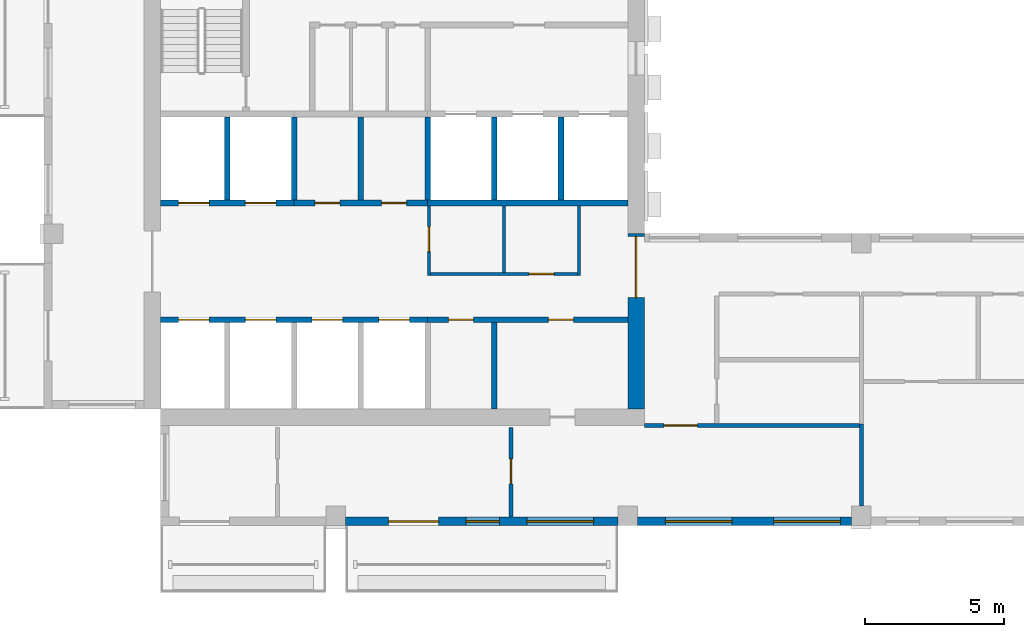
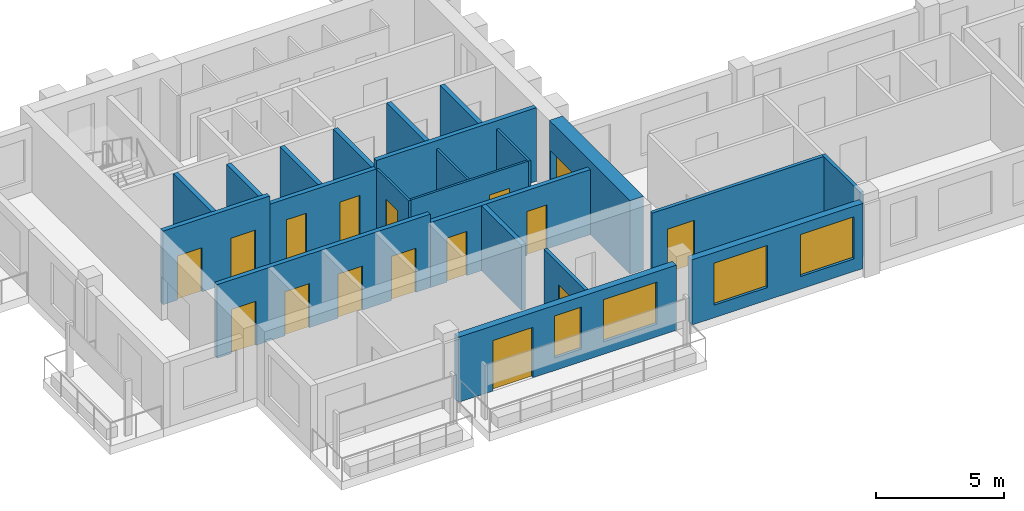
# One storey, part 2 of 9: 22 walls, 16 doors, 4 windows, 20 openings.
"""IFC4 building model written with IfcOpenShell, lengths in metres."""

from ifc_helpers import new_model, si_unit, direction, frame, frame_2d, origin, place, context, subcontext, project, spatial, rectangle, extrude, source, transform, mapped, material, layer, layer_set, type_object, element, fill, save


model = new_model("IFC4")

# Units and contexts
model_context = context("Model", 3, precision=1e-05, world=origin(), true_north=direction((0.0, 1.0)))
body_context = subcontext(model_context, "Body", "Model", "MODEL_VIEW")
ifc_project = project(units=[si_unit("LENGTHUNIT", "METRE"), si_unit("AREAUNIT", "SQUARE_METRE"), si_unit("VOLUMEUNIT", "CUBIC_METRE"), si_unit("PLANEANGLEUNIT", "RADIAN"), si_unit("MASSUNIT", "GRAM", prefix="KILO")], contexts=[model_context])

# Site, building, storey
site_placement = place(None, origin())
site = spatial("IfcSite", under=ifc_project, at=site_placement, CompositionType="ELEMENT")
building_placement = place(site_placement, origin())
building = spatial("IfcBuilding", under=site, at=building_placement, Name="Aurelian Terraces", CompositionType="ELEMENT")
storey_placement = place(building_placement, frame((0.0, 0.0, 319.5)))
storey = spatial("IfcBuildingStorey", under=building, at=storey_placement, Name="L74", CompositionType="ELEMENT", Elevation=319.5)

# Wall, opening, door
ifc_material_1 = material(Name="Concrete fc' 55 MPa", Category="concrete")
ifc_layer_1 = layer(ifc_material_1, 0.6)
ifc_layer_set_1 = layer_set([ifc_layer_1], Name="CORE WALL 600 FC55")
wall_type_1 = type_object("IfcWallType", Name="CORE WALL 600 FC55", PredefinedType="SHEAR", material=ifc_layer_set_1)
shared_shape_1 = source(origin(), body_context, "Body", "SweptSolid", [
    extrude(rectangle(XDim=6.3, YDim=0.6, at=frame_2d((3.15, 0.0))), origin(), (0.0, 0.0, 1.0), 3.5),
])
wall_1_placement = place(storey_placement, frame((21.3, 4.2, 0.0), z_axis=(0.0, 0.0, 1.0), x_axis=(0.0, 1.0, 0.0)))
wall_1 = element("IfcWall", 1, at=wall_1_placement, inside=storey, type_object=wall_type_1, Name="Core wall E L74", PredefinedType="SHEAR", context=body_context, shape_type="MappedRepresentation", body=[
    mapped(shared_shape_1, transform((0.0, 0.0, 0.0), scale=1.0)),
])
shared_shape_2 = source(origin(), body_context, "Body", "SweptSolid", [
    extrude(rectangle(XDim=2.2, YDim=2.1, at=frame_2d((1.1, 1.05))), frame((0.0, 0.31, 0.0), z_axis=(0.0, -1.0, 0.0), x_axis=(1.0, 0.0, 0.0)), (0.0, 0.0, 1.0), 0.62),
])
opening_1_placement = place(wall_1_placement, frame((4.0, 0.0, 0.0)))
opening_1 = element("IfcOpeningElement", 2, at=opening_1_placement, cuts=wall_1, Name="Opening 67731", PredefinedType="OPENING", context=body_context, shape_type="MappedRepresentation", body=[
    mapped(shared_shape_2, transform((0.0, 0.0, 0.0), scale=1.0)),
])
ifc_material_2 = material(Name="Steel door leaf", Category="steel")
door_type_1 = type_object("IfcDoorType", Name="Core double door 2200x2100", OperationType="DOUBLE_DOOR_SINGLE_SWING", PredefinedType="DOOR", material=ifc_material_2)
shared_shape_3 = source(origin(), body_context, "Body", "SweptSolid", [
    extrude(rectangle(XDim=2.2, YDim=2.1, at=frame_2d((1.1, 1.05))), frame((0.0, 0.025, 0.0), z_axis=(0.0, -1.0, 0.0), x_axis=(1.0, 0.0, 0.0)), (0.0, 0.0, 1.0), 0.05),
])
door_1_placement = place(opening_1_placement, origin())
door_1 = element("IfcDoor", 3, at=door_1_placement, inside=storey, type_object=door_type_1, Name="Core door 67731", OperationType="DOUBLE_DOOR_SINGLE_SWING", OverallHeight=2.1, OverallWidth=2.2, PredefinedType="DOOR", context=body_context, shape_type="MappedRepresentation", body=[
    mapped(shared_shape_3, transform((0.0, 0.0, 0.0), scale=1.0)),
])
fill(opening_1, door_1)

# Wall, openings, windows
ifc_material_3 = material(Name="Terracotta rainscreen cladding", Category="masonry")
ifc_layer_2 = layer(ifc_material_3, 0.3)
ifc_layer_set_2 = layer_set([ifc_layer_2], Name="EW-300")
wall_type_2 = type_object("IfcWallType", Name="EW-300", PredefinedType="STANDARD", material=ifc_layer_set_2)
shared_shape_4 = source(origin(), body_context, "Body", "SweptSolid", [
    extrude(rectangle(XDim=7.7, YDim=0.3, at=frame_2d((3.85, 0.0))), origin(), (0.0, 0.0, 1.0), 3.1),
])
wall_2_placement = place(storey_placement, frame((21.35, 0.15, 0.0), z_axis=(0.0, 0.0, 1.0), x_axis=(1.0, 0.0, 0.0)))
wall_2 = element("IfcWall", 4, at=wall_2_placement, inside=storey, type_object=wall_type_2, Name="External wall L74 F01.3", PredefinedType="STANDARD", context=body_context, shape_type="MappedRepresentation", body=[
    mapped(shared_shape_4, transform((0.0, 0.0, 0.0), scale=1.0)),
])
shared_shape_5 = source(origin(), body_context, "Body", "SweptSolid", [
    extrude(rectangle(XDim=2.4, YDim=2.0, at=frame_2d((1.2, 1.0))), frame((0.0, 0.16, 0.0), z_axis=(0.0, -1.0, 0.0), x_axis=(1.0, 0.0, 0.0)), (0.0, 0.0, 1.0), 0.32),
])
opening_2_placement = place(wall_2_placement, frame((1.0, 0.0, 0.6)))
opening_2 = element("IfcOpeningElement", 5, at=opening_2_placement, cuts=wall_2, Name="Opening W2420", PredefinedType="OPENING", context=body_context, shape_type="MappedRepresentation", body=[
    mapped(shared_shape_5, transform((0.0, 0.0, 0.0), scale=1.0)),
])
opening_3_placement = place(wall_2_placement, frame((4.9, 0.0, 0.6)))
opening_3 = element("IfcOpeningElement", 6, at=opening_3_placement, cuts=wall_2, Name="Opening W2420", PredefinedType="OPENING", context=body_context, shape_type="MappedRepresentation", body=[
    mapped(shared_shape_5, transform((0.0, 0.0, 0.0), scale=1.0)),
])
ifc_material_4 = material(Name="Clear glazing", Category="glass")
window_type_1 = type_object("IfcWindowType", Name="W-2400x2000", PartitioningType="SINGLE_PANEL", PredefinedType="WINDOW", material=ifc_material_4)
shared_shape_6 = source(origin(), body_context, "Body", "SweptSolid", [
    extrude(rectangle(XDim=2.4, YDim=2.0, at=frame_2d((1.2, 1.0))), frame((0.0, 0.03, 0.0), z_axis=(0.0, -1.0, 0.0), x_axis=(1.0, 0.0, 0.0)), (0.0, 0.0, 1.0), 0.06),
])
window_1_placement = place(opening_2_placement, origin())
window_1 = element("IfcWindow", 7, at=window_1_placement, inside=storey, type_object=window_type_1, Name="Window L74 L74-F01-03-1", OverallHeight=2.0, OverallWidth=2.4, PartitioningType="SINGLE_PANEL", PredefinedType="WINDOW", context=body_context, shape_type="MappedRepresentation", body=[
    mapped(shared_shape_6, transform((0.0, 0.0, 0.0), scale=1.0)),
])
fill(opening_2, window_1)
window_2_placement = place(opening_3_placement, origin())
window_2 = element("IfcWindow", 8, at=window_2_placement, inside=storey, type_object=window_type_1, Name="Window L74 L74-F01-03-2", OverallHeight=2.0, OverallWidth=2.4, PartitioningType="SINGLE_PANEL", PredefinedType="WINDOW", context=body_context, shape_type="MappedRepresentation", body=[
    mapped(shared_shape_6, transform((0.0, 0.0, 0.0), scale=1.0)),
])
fill(opening_3, window_2)

# Wall, openings, door, windows
shared_shape_7 = source(origin(), body_context, "Body", "SweptSolid", [
    extrude(rectangle(XDim=9.8, YDim=0.3, at=frame_2d((4.9, 0.0))), origin(), (0.0, 0.0, 1.0), 3.1),
])
wall_3_placement = place(storey_placement, frame((10.85, 0.15, 0.0), z_axis=(0.0, 0.0, 1.0), x_axis=(1.0, 0.0, 0.0)))
wall_3 = element("IfcWall", 9, at=wall_3_placement, inside=storey, type_object=wall_type_2, Name="External wall L74 F01.2", PredefinedType="STANDARD", context=body_context, shape_type="MappedRepresentation", body=[
    mapped(shared_shape_7, transform((0.0, 0.0, 0.0), scale=1.0)),
])
shared_shape_8 = source(origin(), body_context, "Body", "SweptSolid", [
    extrude(rectangle(XDim=1.8, YDim=2.4, at=frame_2d((0.9, 1.2))), frame((0.0, 0.16, 0.0), z_axis=(0.0, -1.0, 0.0), x_axis=(1.0, 0.0, 0.0)), (0.0, 0.0, 1.0), 0.32),
])
opening_4_placement = place(wall_3_placement, frame((1.55, 0.0, 0.0)))
opening_4 = element("IfcOpeningElement", 10, at=opening_4_placement, cuts=wall_3, Name="Opening 87402", PredefinedType="OPENING", context=body_context, shape_type="MappedRepresentation", body=[
    mapped(shared_shape_8, transform((0.0, 0.0, 0.0), scale=1.0)),
])
opening_5_placement = place(wall_3_placement, frame((6.525, 0.0, 0.6)))
opening_5 = element("IfcOpeningElement", 11, at=opening_5_placement, cuts=wall_3, Name="Opening W2420", PredefinedType="OPENING", context=body_context, shape_type="MappedRepresentation", body=[
    mapped(shared_shape_5, transform((0.0, 0.0, 0.0), scale=1.0)),
])
shared_shape_9 = source(origin(), body_context, "Body", "SweptSolid", [
    extrude(rectangle(XDim=1.2, YDim=2.0, at=frame_2d((0.6, 1.0))), frame((0.0, 0.16, 0.0), z_axis=(0.0, -1.0, 0.0), x_axis=(1.0, 0.0, 0.0)), (0.0, 0.0, 1.0), 0.32),
])
opening_6_placement = place(wall_3_placement, frame((4.3312, 0.0, 0.6)))
opening_6 = element("IfcOpeningElement", 12, at=opening_6_placement, cuts=wall_3, Name="Opening W1220", PredefinedType="OPENING", context=body_context, shape_type="MappedRepresentation", body=[
    mapped(shared_shape_9, transform((0.0, 0.0, 0.0), scale=1.0)),
])
door_type_2 = type_object("IfcDoorType", Name="BD-1800x2400", OperationType="SLIDING_TO_LEFT", PredefinedType="DOOR", material=ifc_material_4)
shared_shape_10 = source(origin(), body_context, "Body", "SweptSolid", [
    extrude(rectangle(XDim=1.8, YDim=2.4, at=frame_2d((0.9, 1.2))), frame((0.0, 0.025, 0.0), z_axis=(0.0, -1.0, 0.0), x_axis=(1.0, 0.0, 0.0)), (0.0, 0.0, 1.0), 0.05),
])
door_2_placement = place(opening_4_placement, origin())
door_2 = element("IfcDoor", 13, at=door_2_placement, inside=storey, type_object=door_type_2, Name="Balcony door L74 F01.2", OperationType="SLIDING_TO_LEFT", OverallHeight=2.4, OverallWidth=1.8, PredefinedType="DOOR", context=body_context, shape_type="MappedRepresentation", body=[
    mapped(shared_shape_10, transform((0.0, 0.0, 0.0), scale=1.0)),
])
fill(opening_4, door_2)
window_type_2 = type_object("IfcWindowType", Name="W-1200x2000", PartitioningType="SINGLE_PANEL", PredefinedType="WINDOW", material=ifc_material_4)
shared_shape_11 = source(origin(), body_context, "Body", "SweptSolid", [
    extrude(rectangle(XDim=1.2, YDim=2.0, at=frame_2d((0.6, 1.0))), frame((0.0, 0.03, 0.0), z_axis=(0.0, -1.0, 0.0), x_axis=(1.0, 0.0, 0.0)), (0.0, 0.0, 1.0), 0.06),
])
window_3_placement = place(opening_6_placement, origin())
window_3 = element("IfcWindow", 14, at=window_3_placement, inside=storey, type_object=window_type_2, Name="Window L74 L74-F01-02-G0-38", OverallHeight=2.0, OverallWidth=1.2, PartitioningType="SINGLE_PANEL", PredefinedType="WINDOW", context=body_context, shape_type="MappedRepresentation", body=[
    mapped(shared_shape_11, transform((0.0, 0.0, 0.0), scale=1.0)),
])
fill(opening_6, window_3)
window_4_placement = place(opening_5_placement, origin())
window_4 = element("IfcWindow", 15, at=window_4_placement, inside=storey, type_object=window_type_1, Name="Window L74 L74-F01-02-1", OverallHeight=2.0, OverallWidth=2.4, PartitioningType="SINGLE_PANEL", PredefinedType="WINDOW", context=body_context, shape_type="MappedRepresentation", body=[
    mapped(shared_shape_6, transform((0.0, 0.0, 0.0), scale=1.0)),
])
fill(opening_5, window_4)

# Walls
ifc_material_5 = material(Name="Concrete fc' 40 MPa", Category="concrete")
ifc_layer_3 = layer(ifc_material_5, 0.2)
ifc_layer_set_3 = layer_set([ifc_layer_3], Name="Lift shaft wall 200")
wall_type_3 = type_object("IfcWallType", Name="Lift shaft wall 200", PredefinedType="SOLIDWALL", material=ifc_layer_set_3)
shared_shape_12 = source(origin(), body_context, "Body", "SweptSolid", [
    extrude(rectangle(XDim=3.0, YDim=0.2, at=frame_2d((1.5, 0.0))), origin(), (0.0, 0.0, 1.0), 3.1),
])
for number, where, z_axis, x_axis, name in (
    (16, (9.0, 11.7, 0.0), (0.0, 0.0, 1.0), (0.0, 1.0, 0.0), "L74 core wall CD-B2"),
    (17, (13.8, 11.7, 0.0), (0.0, 0.0, 1.0), (0.0, 1.0, 0.0), "L74 core wall CD-B4"),
):
    element("IfcWall", number, at=place(storey_placement, frame(where, z_axis=z_axis, x_axis=x_axis)), inside=storey, type_object=wall_type_3, Name=name, PredefinedType="SOLIDWALL", context=body_context, shape_type="MappedRepresentation", body=[
        mapped(shared_shape_12, transform((0.0, 0.0, 0.0), scale=1.0)),
    ])
shared_shape_13 = source(origin(), body_context, "Body", "SweptSolid", [
    extrude(rectangle(XDim=3.0, YDim=0.2, at=frame_2d((1.5, 0.0))), origin(), (0.0, 0.0, 1.0), 3.5),
])
for number, where, z_axis, x_axis, name in (
    (18, (6.6, 11.7, 0.0), (0.0, 0.0, 1.0), (0.0, 1.0, 0.0), "L74 core wall CD-B1"),
    (19, (16.2, 11.7, 0.0), (0.0, 0.0, 1.0), (0.0, 1.0, 0.0), "L74 core wall CD-B5"),
    (20, (18.6, 11.7, 0.0), (0.0, 0.0, 1.0), (0.0, 1.0, 0.0), "L74 core wall CD-B6"),
):
    element("IfcWall", number, at=place(storey_placement, frame(where, z_axis=z_axis, x_axis=x_axis)), inside=storey, type_object=wall_type_3, Name=name, PredefinedType="SOLIDWALL", context=body_context, shape_type="MappedRepresentation", body=[
        mapped(shared_shape_13, transform((0.0, 0.0, 0.0), scale=1.0)),
    ])

# Wall, openings, doors
shared_shape_14 = source(origin(), body_context, "Body", "SweptSolid", [
    extrude(rectangle(XDim=4.8, YDim=0.2, at=frame_2d((2.4, 0.0))), origin(), (0.0, 0.0, 1.0), 3.5),
])
wall_4_placement = place(storey_placement, frame((4.2, 11.6, 0.0), z_axis=(0.0, 0.0, 1.0), x_axis=(1.0, 0.0, 0.0)))
wall_4 = element("IfcWall", 21, at=wall_4_placement, inside=storey, type_object=wall_type_3, Name="L74 core wall CF-BF1", PredefinedType="SOLIDWALL", context=body_context, shape_type="MappedRepresentation", body=[
    mapped(shared_shape_14, transform((0.0, 0.0, 0.0), scale=1.0)),
])
shared_shape_15 = source(origin(), body_context, "Body", "SweptSolid", [
    extrude(rectangle(XDim=1.1, YDim=2.1, at=frame_2d((0.55, 1.05))), frame((0.0, 0.11, 0.0), z_axis=(0.0, -1.0, 0.0), x_axis=(1.0, 0.0, 0.0)), (0.0, 0.0, 1.0), 0.22),
])
opening_7_placement = place(wall_4_placement, frame((0.65, 0.0, 0.0)))
opening_7 = element("IfcOpeningElement", 22, at=opening_7_placement, cuts=wall_4, Name="Opening 67706", PredefinedType="OPENING", context=body_context, shape_type="MappedRepresentation", body=[
    mapped(shared_shape_15, transform((0.0, 0.0, 0.0), scale=1.0)),
])
opening_8_placement = place(wall_4_placement, frame((3.05, 0.0, 0.0)))
opening_8 = element("IfcOpeningElement", 23, at=opening_8_placement, cuts=wall_4, Name="Opening 67707", PredefinedType="OPENING", context=body_context, shape_type="MappedRepresentation", body=[
    mapped(shared_shape_15, transform((0.0, 0.0, 0.0), scale=1.0)),
])
ifc_material_6 = material(Name="Stainless steel", Category="steel")
door_type_3 = type_object("IfcDoorType", Name="Lift landing door 1100x2100", OperationType="SLIDING_TO_LEFT", PredefinedType="DOOR", material=ifc_material_6)
shared_shape_16 = source(origin(), body_context, "Body", "SweptSolid", [
    extrude(rectangle(XDim=1.1, YDim=2.1, at=frame_2d((0.55, 1.05))), frame((0.0, 0.025, 0.0), z_axis=(0.0, -1.0, 0.0), x_axis=(1.0, 0.0, 0.0)), (0.0, 0.0, 1.0), 0.05),
])
door_3_placement = place(opening_7_placement, origin())
door_3 = element("IfcDoor", 24, at=door_3_placement, inside=storey, type_object=door_type_3, Name="Lift landing door LH5 L74", OperationType="SLIDING_TO_LEFT", OverallHeight=2.1, OverallWidth=1.1, PredefinedType="DOOR", context=body_context, shape_type="MappedRepresentation", body=[
    mapped(shared_shape_16, transform((0.0, 0.0, 0.0), scale=1.0)),
])
fill(opening_7, door_3)
door_4_placement = place(opening_8_placement, origin())
door_4 = element("IfcDoor", 25, at=door_4_placement, inside=storey, type_object=door_type_3, Name="Lift landing door LH6 L74", OperationType="SLIDING_TO_LEFT", OverallHeight=2.1, OverallWidth=1.1, PredefinedType="DOOR", context=body_context, shape_type="MappedRepresentation", body=[
    mapped(shared_shape_16, transform((0.0, 0.0, 0.0), scale=1.0)),
])
fill(opening_8, door_4)

shared_shape_17 = source(origin(), body_context, "Body", "SweptSolid", [
    extrude(rectangle(XDim=4.8, YDim=0.2, at=frame_2d((2.4, 0.0))), origin(), (0.0, 0.0, 1.0), 3.1),
])
wall_5_placement = place(storey_placement, frame((9.0, 11.6, 0.0), z_axis=(0.0, 0.0, 1.0), x_axis=(1.0, 0.0, 0.0)))
wall_5 = element("IfcWall", 26, at=wall_5_placement, inside=storey, type_object=wall_type_3, Name="L74 core wall CF-BF2", PredefinedType="SOLIDWALL", context=body_context, shape_type="MappedRepresentation", body=[
    mapped(shared_shape_17, transform((0.0, 0.0, 0.0), scale=1.0)),
])
shared_shape_18 = source(origin(), body_context, "Body", "SweptSolid", [
    extrude(rectangle(XDim=0.9, YDim=2.1, at=frame_2d((0.45, 1.05))), frame((0.0, 0.11, 0.0), z_axis=(0.0, -1.0, 0.0), x_axis=(1.0, 0.0, 0.0)), (0.0, 0.0, 1.0), 0.22),
])
opening_9_placement = place(wall_5_placement, frame((0.75, 0.0, 0.0)))
opening_9 = element("IfcOpeningElement", 27, at=opening_9_placement, cuts=wall_5, Name="Opening 67708", PredefinedType="OPENING", context=body_context, shape_type="MappedRepresentation", body=[
    mapped(shared_shape_18, transform((0.0, 0.0, 0.0), scale=1.0)),
])
opening_10_placement = place(wall_5_placement, frame((3.15, 0.0, 0.0)))
opening_10 = element("IfcOpeningElement", 28, at=opening_10_placement, cuts=wall_5, Name="Opening 67709", PredefinedType="OPENING", context=body_context, shape_type="MappedRepresentation", body=[
    mapped(shared_shape_18, transform((0.0, 0.0, 0.0), scale=1.0)),
])
door_type_4 = type_object("IfcDoorType", Name="Core service door 900x2100 right", OperationType="SINGLE_SWING_RIGHT", PredefinedType="DOOR", material=ifc_material_2)
shared_shape_19 = source(origin(), body_context, "Body", "SweptSolid", [
    extrude(rectangle(XDim=0.9, YDim=2.1, at=frame_2d((0.45, 1.05))), frame((0.0, 0.025, 0.0), z_axis=(0.0, -1.0, 0.0), x_axis=(1.0, 0.0, 0.0)), (0.0, 0.0, 1.0), 0.05),
])
door_5_placement = place(opening_9_placement, origin())
door_5 = element("IfcDoor", 29, at=door_5_placement, inside=storey, type_object=door_type_4, Name="Room door 67708", OperationType="SINGLE_SWING_RIGHT", OverallHeight=2.1, OverallWidth=0.9, PredefinedType="DOOR", context=body_context, shape_type="MappedRepresentation", body=[
    mapped(shared_shape_19, transform((0.0, 0.0, 0.0), scale=1.0)),
])
fill(opening_9, door_5)
door_type_5 = type_object("IfcDoorType", Name="Core service door 900x2100", OperationType="SINGLE_SWING_LEFT", PredefinedType="DOOR", material=ifc_material_2)
door_6_placement = place(opening_10_placement, origin())
door_6 = element("IfcDoor", 30, at=door_6_placement, inside=storey, type_object=door_type_5, Name="Room door 67709", OperationType="SINGLE_SWING_LEFT", OverallHeight=2.1, OverallWidth=0.9, PredefinedType="DOOR", context=body_context, shape_type="MappedRepresentation", body=[
    mapped(shared_shape_19, transform((0.0, 0.0, 0.0), scale=1.0)),
])
fill(opening_10, door_6)

# Walls
shared_shape_20 = source(origin(), body_context, "Body", "SweptSolid", [
    extrude(rectangle(XDim=7.2, YDim=0.2, at=frame_2d((3.6, 0.0))), origin(), (0.0, 0.0, 1.0), 3.5),
])
wall_6_placement = place(storey_placement, frame((13.8, 11.6, 0.0), z_axis=(0.0, 0.0, 1.0), x_axis=(1.0, 0.0, 0.0)))
element("IfcWall", 31, at=wall_6_placement, inside=storey, type_object=wall_type_3, Name="L74 core wall CF-BF3", PredefinedType="SOLIDWALL", context=body_context, shape_type="MappedRepresentation", body=[
    mapped(shared_shape_20, transform((0.0, 0.0, 0.0), scale=1.0)),
])
ifc_material_7 = material(Name="Gypsum board on steel studs", Category="steel")
ifc_layer_4 = layer(ifc_material_7, 0.2)
ifc_layer_set_4 = layer_set([ifc_layer_4], Name="Core partition 200")
wall_type_4 = type_object("IfcWallType", Name="Core partition 200", PredefinedType="PARTITIONING", material=ifc_layer_set_4)
shared_shape_21 = source(origin(), body_context, "Body", "SweptSolid", [
    extrude(rectangle(XDim=3.0, YDim=0.2, at=frame_2d((1.5, 0.0))), origin(), (0.0, 0.0, 1.0), 3.1),
])
wall_7_placement = place(storey_placement, frame((11.4, 11.7, 0.0), z_axis=(0.0, 0.0, 1.0), x_axis=(0.0, 1.0, 0.0)))
element("IfcWall", 32, at=wall_7_placement, inside=storey, type_object=wall_type_4, Name="L74 core wall CS-B3", PredefinedType="PARTITIONING", context=body_context, shape_type="MappedRepresentation", body=[
    mapped(shared_shape_21, transform((0.0, 0.0, 0.0), scale=1.0)),
])
shared_shape_22 = source(origin(), body_context, "Body", "SweptSolid", [
    extrude(rectangle(XDim=3.1, YDim=0.2, at=frame_2d((1.55, 0.0))), origin(), (0.0, 0.0, 1.0), 3.1),
])
wall_8_placement = place(storey_placement, frame((16.2, 4.2, 0.0), z_axis=(0.0, 0.0, 1.0), x_axis=(0.0, 1.0, 0.0)))
element("IfcWall", 33, at=wall_8_placement, inside=storey, type_object=wall_type_4, Name="L74 core wall CS-A5", PredefinedType="PARTITIONING", context=body_context, shape_type="MappedRepresentation", body=[
    mapped(shared_shape_22, transform((0.0, 0.0, 0.0), scale=1.0)),
])

# Wall, openings, doors
shared_shape_23 = source(origin(), body_context, "Body", "SweptSolid", [
    extrude(rectangle(XDim=9.6, YDim=0.2, at=frame_2d((4.8, 0.0))), origin(), (0.0, 0.0, 1.0), 3.5),
])
wall_9_placement = place(storey_placement, frame((4.2, 7.4, 0.0), z_axis=(0.0, 0.0, 1.0), x_axis=(1.0, 0.0, 0.0)))
wall_9 = element("IfcWall", 34, at=wall_9_placement, inside=storey, type_object=wall_type_3, Name="L74 core wall CF-AF1", PredefinedType="SOLIDWALL", context=body_context, shape_type="MappedRepresentation", body=[
    mapped(shared_shape_23, transform((0.0, 0.0, 0.0), scale=1.0)),
])
opening_11_placement = place(wall_9_placement, frame((0.65, 0.0, 0.0)))
opening_11 = element("IfcOpeningElement", 35, at=opening_11_placement, cuts=wall_9, Name="Opening 67700", PredefinedType="OPENING", context=body_context, shape_type="MappedRepresentation", body=[
    mapped(shared_shape_15, transform((0.0, 0.0, 0.0), scale=1.0)),
])
opening_12_placement = place(wall_9_placement, frame((3.05, 0.0, 0.0)))
opening_12 = element("IfcOpeningElement", 36, at=opening_12_placement, cuts=wall_9, Name="Opening 67701", PredefinedType="OPENING", context=body_context, shape_type="MappedRepresentation", body=[
    mapped(shared_shape_15, transform((0.0, 0.0, 0.0), scale=1.0)),
])
opening_13_placement = place(wall_9_placement, frame((5.45, 0.0, 0.0)))
opening_13 = element("IfcOpeningElement", 37, at=opening_13_placement, cuts=wall_9, Name="Opening 67702", PredefinedType="OPENING", context=body_context, shape_type="MappedRepresentation", body=[
    mapped(shared_shape_15, transform((0.0, 0.0, 0.0), scale=1.0)),
])
opening_14_placement = place(wall_9_placement, frame((7.85, 0.0, 0.0)))
opening_14 = element("IfcOpeningElement", 38, at=opening_14_placement, cuts=wall_9, Name="Opening 67703", PredefinedType="OPENING", context=body_context, shape_type="MappedRepresentation", body=[
    mapped(shared_shape_15, transform((0.0, 0.0, 0.0), scale=1.0)),
])
door_7_placement = place(opening_11_placement, origin())
door_7 = element("IfcDoor", 39, at=door_7_placement, inside=storey, type_object=door_type_3, Name="Lift landing door LH1 L74", OperationType="SLIDING_TO_LEFT", OverallHeight=2.1, OverallWidth=1.1, PredefinedType="DOOR", context=body_context, shape_type="MappedRepresentation", body=[
    mapped(shared_shape_16, transform((0.0, 0.0, 0.0), scale=1.0)),
])
fill(opening_11, door_7)
door_8_placement = place(opening_12_placement, origin())
door_8 = element("IfcDoor", 40, at=door_8_placement, inside=storey, type_object=door_type_3, Name="Lift landing door LH2 L74", OperationType="SLIDING_TO_LEFT", OverallHeight=2.1, OverallWidth=1.1, PredefinedType="DOOR", context=body_context, shape_type="MappedRepresentation", body=[
    mapped(shared_shape_16, transform((0.0, 0.0, 0.0), scale=1.0)),
])
fill(opening_12, door_8)
door_9_placement = place(opening_13_placement, origin())
door_9 = element("IfcDoor", 41, at=door_9_placement, inside=storey, type_object=door_type_3, Name="Lift landing door LH3 L74", OperationType="SLIDING_TO_LEFT", OverallHeight=2.1, OverallWidth=1.1, PredefinedType="DOOR", context=body_context, shape_type="MappedRepresentation", body=[
    mapped(shared_shape_16, transform((0.0, 0.0, 0.0), scale=1.0)),
])
fill(opening_13, door_9)
door_10_placement = place(opening_14_placement, origin())
door_10 = element("IfcDoor", 42, at=door_10_placement, inside=storey, type_object=door_type_3, Name="Lift landing door LH4 L74", OperationType="SLIDING_TO_LEFT", OverallHeight=2.1, OverallWidth=1.1, PredefinedType="DOOR", context=body_context, shape_type="MappedRepresentation", body=[
    mapped(shared_shape_16, transform((0.0, 0.0, 0.0), scale=1.0)),
])
fill(opening_14, door_10)

shared_shape_24 = source(origin(), body_context, "Body", "SweptSolid", [
    extrude(rectangle(XDim=7.2, YDim=0.2, at=frame_2d((3.6, 0.0))), origin(), (0.0, 0.0, 1.0), 3.1),
])
wall_10_placement = place(storey_placement, frame((13.8, 7.4, 0.0), z_axis=(0.0, 0.0, 1.0), x_axis=(1.0, 0.0, 0.0)))
wall_10 = element("IfcWall", 43, at=wall_10_placement, inside=storey, type_object=wall_type_3, Name="L74 core wall CF-AF2", PredefinedType="SOLIDWALL", context=body_context, shape_type="MappedRepresentation", body=[
    mapped(shared_shape_24, transform((0.0, 0.0, 0.0), scale=1.0)),
])
opening_15_placement = place(wall_10_placement, frame((0.75, 0.0, 0.0)))
opening_15 = element("IfcOpeningElement", 44, at=opening_15_placement, cuts=wall_10, Name="Opening 67704", PredefinedType="OPENING", context=body_context, shape_type="MappedRepresentation", body=[
    mapped(shared_shape_18, transform((0.0, 0.0, 0.0), scale=1.0)),
])
opening_16_placement = place(wall_10_placement, frame((4.35, 0.0, 0.0)))
opening_16 = element("IfcOpeningElement", 45, at=opening_16_placement, cuts=wall_10, Name="Opening 67705", PredefinedType="OPENING", context=body_context, shape_type="MappedRepresentation", body=[
    mapped(shared_shape_18, transform((0.0, 0.0, 0.0), scale=1.0)),
])
door_11_placement = place(opening_15_placement, origin())
door_11 = element("IfcDoor", 46, at=door_11_placement, inside=storey, type_object=door_type_4, Name="Room door 67704", OperationType="SINGLE_SWING_RIGHT", OverallHeight=2.1, OverallWidth=0.9, PredefinedType="DOOR", context=body_context, shape_type="MappedRepresentation", body=[
    mapped(shared_shape_19, transform((0.0, 0.0, 0.0), scale=1.0)),
])
fill(opening_15, door_11)
door_12_placement = place(opening_16_placement, origin())
door_12 = element("IfcDoor", 47, at=door_12_placement, inside=storey, type_object=door_type_5, Name="Room door 67705", OperationType="SINGLE_SWING_LEFT", OverallHeight=2.1, OverallWidth=0.9, PredefinedType="DOOR", context=body_context, shape_type="MappedRepresentation", body=[
    mapped(shared_shape_19, transform((0.0, 0.0, 0.0), scale=1.0)),
])
fill(opening_16, door_12)

# Wall, opening, door
ifc_layer_5 = layer(ifc_material_7, 0.1)
ifc_layer_set_5 = layer_set([ifc_layer_5], Name="Core partition 100")
wall_type_5 = type_object("IfcWallType", Name="Core partition 100", PredefinedType="PARTITIONING", material=ifc_layer_set_5)
shared_shape_25 = source(origin(), body_context, "Body", "SweptSolid", [
    extrude(rectangle(XDim=2.5, YDim=0.1, at=frame_2d((1.25, 0.0))), origin(), (0.0, 0.0, 1.0), 3.1),
])
wall_11_placement = place(storey_placement, frame((13.85, 9.0, 0.0), z_axis=(0.0, 0.0, 1.0), x_axis=(0.0, 1.0, 0.0)))
wall_11 = element("IfcWall", 48, at=wall_11_placement, inside=storey, type_object=wall_type_5, Name="L74 core wall SV-EW", PredefinedType="PARTITIONING", context=body_context, shape_type="MappedRepresentation", body=[
    mapped(shared_shape_25, transform((0.0, 0.0, 0.0), scale=1.0)),
])
shared_shape_26 = source(origin(), body_context, "Body", "SweptSolid", [
    extrude(rectangle(XDim=0.9, YDim=2.1, at=frame_2d((0.45, 1.05))), frame((0.0, 0.06, 0.0), z_axis=(0.0, -1.0, 0.0), x_axis=(1.0, 0.0, 0.0)), (0.0, 0.0, 1.0), 0.12),
])
opening_17_placement = place(wall_11_placement, frame((0.85, 0.0, 0.0)))
opening_17 = element("IfcOpeningElement", 49, at=opening_17_placement, cuts=wall_11, Name="Opening 67724", PredefinedType="OPENING", context=body_context, shape_type="MappedRepresentation", body=[
    mapped(shared_shape_26, transform((0.0, 0.0, 0.0), scale=1.0)),
])
door_13_placement = place(opening_17_placement, origin())
door_13 = element("IfcDoor", 50, at=door_13_placement, inside=storey, type_object=door_type_4, Name="Room door 67724", OperationType="SINGLE_SWING_RIGHT", OverallHeight=2.1, OverallWidth=0.9, PredefinedType="DOOR", context=body_context, shape_type="MappedRepresentation", body=[
    mapped(shared_shape_19, transform((0.0, 0.0, 0.0), scale=1.0)),
])
fill(opening_17, door_13)

# Walls
wall_12_placement = place(storey_placement, frame((19.25, 9.0, 0.0), z_axis=(0.0, 0.0, 1.0), x_axis=(0.0, 1.0, 0.0)))
element("IfcWall", 51, at=wall_12_placement, inside=storey, type_object=wall_type_5, Name="L74 core wall SV-EE", PredefinedType="PARTITIONING", context=body_context, shape_type="MappedRepresentation", body=[
    mapped(shared_shape_25, transform((0.0, 0.0, 0.0), scale=1.0)),
])
shared_shape_27 = source(origin(), body_context, "Body", "SweptSolid", [
    extrude(rectangle(XDim=2.4, YDim=0.1, at=frame_2d((1.2, 0.0))), origin(), (0.0, 0.0, 1.0), 3.1),
])
wall_13_placement = place(storey_placement, frame((16.55, 9.1, 0.0), z_axis=(0.0, 0.0, 1.0), x_axis=(0.0, 1.0, 0.0)))
element("IfcWall", 52, at=wall_13_placement, inside=storey, type_object=wall_type_5, Name="L74 core wall SV-EP", PredefinedType="PARTITIONING", context=body_context, shape_type="MappedRepresentation", body=[
    mapped(shared_shape_27, transform((0.0, 0.0, 0.0), scale=1.0)),
])

# Wall, opening, door
shared_shape_28 = source(origin(), body_context, "Body", "SweptSolid", [
    extrude(rectangle(XDim=5.4, YDim=0.1, at=frame_2d((2.7, 0.0))), origin(), (0.0, 0.0, 1.0), 3.1),
])
wall_14_placement = place(storey_placement, frame((13.8, 9.05, 0.0), z_axis=(0.0, 0.0, 1.0), x_axis=(1.0, 0.0, 0.0)))
wall_14 = element("IfcWall", 53, at=wall_14_placement, inside=storey, type_object=wall_type_5, Name="L74 core wall SV-ES", PredefinedType="PARTITIONING", context=body_context, shape_type="MappedRepresentation", body=[
    mapped(shared_shape_28, transform((0.0, 0.0, 0.0), scale=1.0)),
])
opening_18_placement = place(wall_14_placement, frame((3.65, 0.0, 0.0)))
opening_18 = element("IfcOpeningElement", 54, at=opening_18_placement, cuts=wall_14, Name="Opening 67723", PredefinedType="OPENING", context=body_context, shape_type="MappedRepresentation", body=[
    mapped(shared_shape_26, transform((0.0, 0.0, 0.0), scale=1.0)),
])
door_14_placement = place(opening_18_placement, origin())
door_14 = element("IfcDoor", 55, at=door_14_placement, inside=storey, type_object=door_type_5, Name="Room door 67723", OperationType="SINGLE_SWING_LEFT", OverallHeight=2.1, OverallWidth=0.9, PredefinedType="DOOR", context=body_context, shape_type="MappedRepresentation", body=[
    mapped(shared_shape_19, transform((0.0, 0.0, 0.0), scale=1.0)),
])
fill(opening_18, door_14)

ifc_layer_6 = layer(ifc_material_7, 0.15)
ifc_layer_set_6 = layer_set([ifc_layer_6], Name="Partition 150")
wall_type_6 = type_object("IfcWallType", Name="Partition 150", PredefinedType="PARTITIONING", material=ifc_layer_set_6)
shared_shape_29 = source(origin(), body_context, "Body", "SweptSolid", [
    extrude(rectangle(XDim=7.725, YDim=0.15, at=frame_2d((3.8625, 0.0))), origin(), (0.0, 0.0, 1.0), 3.1),
])
wall_15_placement = place(storey_placement, frame((21.6, 3.6, 0.0), z_axis=(0.0, 0.0, 1.0), x_axis=(1.0, 0.0, 0.0)))
wall_15 = element("IfcWall", 56, at=wall_15_placement, inside=storey, type_object=wall_type_6, Name="Partition", PredefinedType="PARTITIONING", context=body_context, shape_type="MappedRepresentation", body=[
    mapped(shared_shape_29, transform((0.0, 0.0, 0.0), scale=1.0)),
])
shared_shape_30 = source(origin(), body_context, "Body", "SweptSolid", [
    extrude(rectangle(XDim=1.2, YDim=2.1, at=frame_2d((0.6, 1.05))), frame((0.0, 0.085, 0.0), z_axis=(0.0, -1.0, 0.0), x_axis=(1.0, 0.0, 0.0)), (0.0, 0.0, 1.0), 0.17),
])
opening_19_placement = place(wall_15_placement, frame((0.7, 0.0, 0.0)))
opening_19 = element("IfcOpeningElement", 57, at=opening_19_placement, cuts=wall_15, Name="Opening 774005", PredefinedType="OPENING", context=body_context, shape_type="MappedRepresentation", body=[
    mapped(shared_shape_30, transform((0.0, 0.0, 0.0), scale=1.0)),
])
ifc_material_8 = material(Name="Timber door leaf", Category="wood")
door_type_6 = type_object("IfcDoorType", Name="Room door 1200x2100 right", OperationType="SINGLE_SWING_RIGHT", PredefinedType="DOOR", material=ifc_material_8)
shared_shape_31 = source(origin(), body_context, "Body", "SweptSolid", [
    extrude(rectangle(XDim=1.2, YDim=2.1, at=frame_2d((0.6, 1.05))), frame((0.0, 0.025, 0.0), z_axis=(0.0, -1.0, 0.0), x_axis=(1.0, 0.0, 0.0)), (0.0, 0.0, 1.0), 0.05),
])
door_15_placement = place(opening_19_placement, origin())
door_15 = element("IfcDoor", 58, at=door_15_placement, inside=storey, type_object=door_type_6, Name="Door 774005", OperationType="SINGLE_SWING_RIGHT", OverallHeight=2.1, OverallWidth=1.2, PredefinedType="DOOR", context=body_context, shape_type="MappedRepresentation", body=[
    mapped(shared_shape_31, transform((0.0, 0.0, 0.0), scale=1.0)),
])
fill(opening_19, door_15)

# Wall
ifc_layer_7 = layer(ifc_material_7, 0.15)
ifc_layer_set_7 = layer_set([ifc_layer_7], Name="Fire partition 150")
wall_type_7 = type_object("IfcWallType", Name="Fire partition 150", PredefinedType="PARTITIONING", material=ifc_layer_set_7)
shared_shape_32 = source(origin(), body_context, "Body", "SweptSolid", [
    extrude(rectangle(XDim=2.956, YDim=0.15, at=frame_2d((1.478, 0.0))), origin(), (0.0, 0.0, 1.0), 3.1),
])
wall_16_placement = place(storey_placement, frame((29.4, 0.699, 0.0), z_axis=(0.0, 0.0, 1.0), x_axis=(0.0, 1.0, 0.0)))
element("IfcWall", 59, at=wall_16_placement, inside=storey, type_object=wall_type_7, Name="Party wall", PredefinedType="PARTITIONING", context=body_context, shape_type="MappedRepresentation", body=[
    mapped(shared_shape_32, transform((0.0, 0.0, 0.0), scale=1.0)),
])

# Wall, opening, door
shared_shape_33 = source(origin(), body_context, "Body", "SweptSolid", [
    extrude(rectangle(XDim=3.225, YDim=0.15, at=frame_2d((1.6125, 0.0))), origin(), (0.0, 0.0, 1.0), 3.1),
])
wall_17_placement = place(storey_placement, frame((16.8, 3.525, 0.0), z_axis=(0.0, 0.0, 1.0), x_axis=(0.0, -1.0, 0.0)))
wall_17 = element("IfcWall", 60, at=wall_17_placement, inside=storey, type_object=wall_type_6, Name="Partition", PredefinedType="PARTITIONING", context=body_context, shape_type="MappedRepresentation", body=[
    mapped(shared_shape_33, transform((0.0, 0.0, 0.0), scale=1.0)),
])
shared_shape_34 = source(origin(), body_context, "Body", "SweptSolid", [
    extrude(rectangle(XDim=0.9, YDim=2.1, at=frame_2d((0.45, 1.05))), frame((0.0, 0.085, 0.0), z_axis=(0.0, -1.0, 0.0), x_axis=(1.0, 0.0, 0.0)), (0.0, 0.0, 1.0), 0.17),
])
opening_20_placement = place(wall_17_placement, frame((1.125, 0.0, 0.0)))
opening_20 = element("IfcOpeningElement", 61, at=opening_20_placement, cuts=wall_17, Name="Opening 774004", PredefinedType="OPENING", context=body_context, shape_type="MappedRepresentation", body=[
    mapped(shared_shape_34, transform((0.0, 0.0, 0.0), scale=1.0)),
])
door_type_7 = type_object("IfcDoorType", Name="Room door 900x2100 left", OperationType="SINGLE_SWING_LEFT", PredefinedType="DOOR", material=ifc_material_8)
door_16_placement = place(opening_20_placement, origin())
door_16 = element("IfcDoor", 62, at=door_16_placement, inside=storey, type_object=door_type_7, Name="Door 774004", OperationType="SINGLE_SWING_LEFT", OverallHeight=2.1, OverallWidth=0.9, PredefinedType="DOOR", context=body_context, shape_type="MappedRepresentation", body=[
    mapped(shared_shape_19, transform((0.0, 0.0, 0.0), scale=1.0)),
])
fill(opening_20, door_16)

save(model, "model.ifc")
